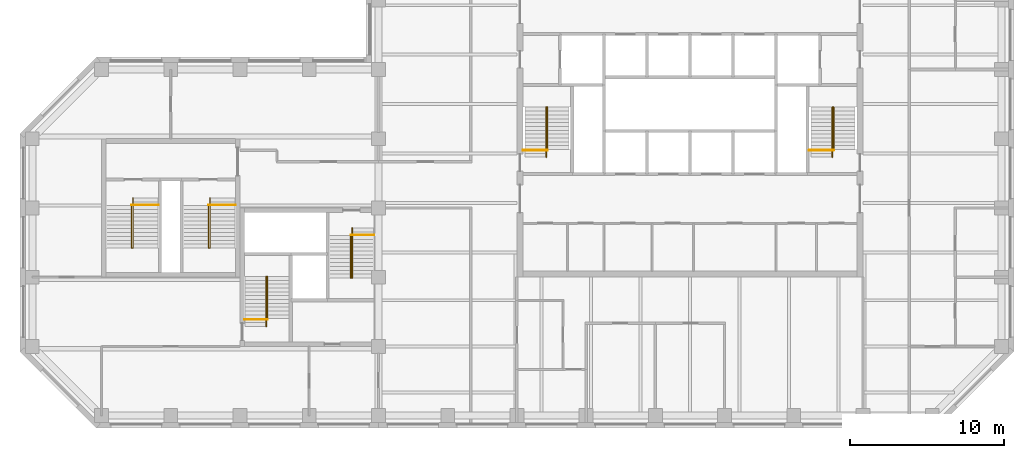
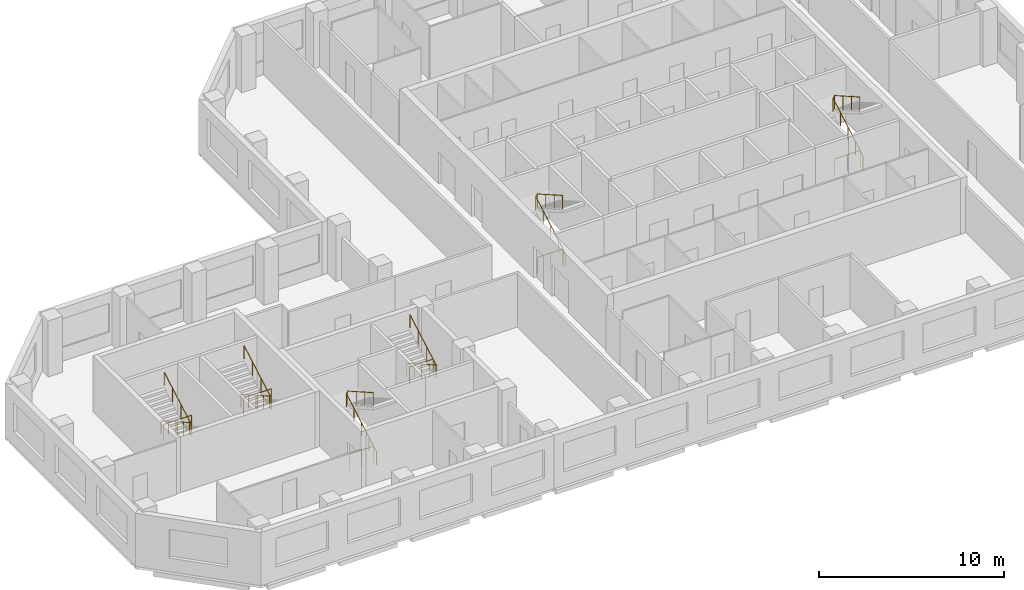
# One storey, part 9 of 9: 12 railings.
"""IFC4 building model written with IfcOpenShell, lengths in metres."""

from ifc_helpers import new_model, si_unit, direction, frame, origin, origin_2d, place, context, subcontext, project, spatial, circle, extrude, material, type_object, element, save


model = new_model("IFC4")

# Units and contexts
model_context = context("Model", 3, precision=1e-05, world=origin(), true_north=direction((0.0, 1.0)))
body_context = subcontext(model_context, "Body", "Model", "MODEL_VIEW")
ifc_project = project(units=[si_unit("LENGTHUNIT", "METRE"), si_unit("AREAUNIT", "SQUARE_METRE"), si_unit("VOLUMEUNIT", "CUBIC_METRE"), si_unit("PLANEANGLEUNIT", "RADIAN"), si_unit("MASSUNIT", "GRAM", prefix="KILO")], contexts=[model_context])

# Site, building, storey
site_placement = place(None, origin())
site = spatial("IfcSite", under=ifc_project, at=site_placement, CompositionType="ELEMENT")
building_placement = place(site_placement, origin())
building = spatial("IfcBuilding", under=site, at=building_placement, Name="Quoin Convention Tower", CompositionType="ELEMENT")
storey_placement = place(building_placement, frame((0.0, 0.0, 248.89990234375)))
storey = spatial("IfcBuildingStorey", under=building, at=storey_placement, Name="L65", CompositionType="ELEMENT", Elevation=248.89990234375)

# Railings
ifc_material = material(Name="Stainless steel", Category="steel")
railing_type_1 = type_object("IfcRailingType", Name="Stair handrail 900", PredefinedType="HANDRAIL", material=ifc_material)
railing_1_placement = place(storey_placement, frame((46.905029296875, 57.300048828125, 0.142333984375)))
element("IfcRailing", 1, at=railing_1_placement, inside=storey, type_object=railing_type_1, Name="SD1 handrail 1", PredefinedType="HANDRAIL", context=body_context, shape_type="SweptSolid", body=[
    extrude(circle(Radius=0.02392578125, at=origin_2d()), frame((0.0, 0.0, 0.8759765625), z_axis=(0.0, 0.869053504361, 0.494718108177), x_axis=(-1.0, 0.0, 0.0)), (0.0, 0.0, 1.0), 3.73974609375),
    extrude(circle(Radius=0.02392578125, at=origin_2d()), frame((0.0, 3.25, 2.72607421875), z_axis=(0.53481069233, 0.0, 0.844971906852), x_axis=(0.0, 1.0, 0.0)), (0.0, 0.0, 1.0), 0.16845703125),
    extrude(circle(Radius=0.02392578125, at=origin_2d()), frame((0.090087890625, 3.25, 2.8681640625), z_axis=(0.0, -0.869058607571, 0.494709143443), x_axis=(1.0, 0.0, 0.0)), (0.0, 0.0, 1.0), 3.164306640625),
    extrude(circle(Radius=0.02099609375, at=origin_2d()), origin(), (0.0, 0.0, 1.0), 0.851806640625),
    extrude(circle(Radius=0.02099609375, at=origin_2d()), frame((0.0, 0.8125, 0.46240234375)), (0.0, 0.0, 1.0), 0.851806640625),
    extrude(circle(Radius=0.02099609375, at=origin_2d()), frame((0.0, 1.625, 0.925048828125)), (0.0, 0.0, 1.0), 0.851806640625),
    extrude(circle(Radius=0.02099609375, at=origin_2d()), frame((0.0, 2.4375, 1.3876953125)), (0.0, 0.0, 1.0), 0.851806640625),
    extrude(circle(Radius=0.02099609375, at=origin_2d()), frame((0.0, 3.25, 1.85009765625)), (0.0, 0.0, 1.0), 0.851806640625),
    extrude(circle(Radius=0.02099609375, at=origin_2d()), frame((0.090087890625, 3.25, 1.992431640625)), (0.0, 0.0, 1.0), 0.851806640625),
    extrude(circle(Radius=0.02099609375, at=origin_2d()), frame((0.090087890625, 2.333251953125, 2.51416015625)), (0.0, 0.0, 1.0), 0.851806640625),
    extrude(circle(Radius=0.02099609375, at=origin_2d()), frame((0.090087890625, 1.416748046875, 3.0361328125)), (0.0, 0.0, 1.0), 0.851806640625),
    extrude(circle(Radius=0.02099609375, at=origin_2d()), frame((0.090087890625, 0.5, 3.557861328125)), (0.0, 0.0, 1.0), 0.851806640625),
])
railing_2_placement = place(storey_placement, frame((65.5048828125, 57.300048828125, 0.142333984375)))
element("IfcRailing", 2, at=railing_2_placement, inside=storey, type_object=railing_type_1, Name="SD2 handrail 1", PredefinedType="HANDRAIL", context=body_context, shape_type="SweptSolid", body=[
    extrude(circle(Radius=0.02392578125, at=origin_2d()), frame((0.0, 0.0, 0.8759765625), z_axis=(0.0, 0.869053504361, 0.494718108177), x_axis=(-1.0, 0.0, 0.0)), (0.0, 0.0, 1.0), 3.73974609375),
    extrude(circle(Radius=0.02392578125, at=origin_2d()), frame((0.0, 3.25, 2.72607421875), z_axis=(0.53481069233, 0.0, 0.844971906852), x_axis=(0.0, 1.0, 0.0)), (0.0, 0.0, 1.0), 0.16845703125),
    extrude(circle(Radius=0.02392578125, at=origin_2d()), frame((0.090087890625, 3.25, 2.8681640625), z_axis=(0.0, -0.869058607571, 0.494709143443), x_axis=(1.0, 0.0, 0.0)), (0.0, 0.0, 1.0), 3.164306640625),
    extrude(circle(Radius=0.02099609375, at=origin_2d()), origin(), (0.0, 0.0, 1.0), 0.851806640625),
    extrude(circle(Radius=0.02099609375, at=origin_2d()), frame((0.0, 0.8125, 0.46240234375)), (0.0, 0.0, 1.0), 0.851806640625),
    extrude(circle(Radius=0.02099609375, at=origin_2d()), frame((0.0, 1.625, 0.925048828125)), (0.0, 0.0, 1.0), 0.851806640625),
    extrude(circle(Radius=0.02099609375, at=origin_2d()), frame((0.0, 2.4375, 1.3876953125)), (0.0, 0.0, 1.0), 0.851806640625),
    extrude(circle(Radius=0.02099609375, at=origin_2d()), frame((0.0, 3.25, 1.85009765625)), (0.0, 0.0, 1.0), 0.851806640625),
    extrude(circle(Radius=0.02099609375, at=origin_2d()), frame((0.090087890625, 3.25, 1.992431640625)), (0.0, 0.0, 1.0), 0.851806640625),
    extrude(circle(Radius=0.02099609375, at=origin_2d()), frame((0.090087890625, 2.333251953125, 2.51416015625)), (0.0, 0.0, 1.0), 0.851806640625),
    extrude(circle(Radius=0.02099609375, at=origin_2d()), frame((0.090087890625, 1.416748046875, 3.0361328125)), (0.0, 0.0, 1.0), 0.851806640625),
    extrude(circle(Radius=0.02099609375, at=origin_2d()), frame((0.090087890625, 0.5, 3.557861328125)), (0.0, 0.0, 1.0), 0.851806640625),
])
railing_3_placement = place(storey_placement, frame((28.705078125, 46.300048828125, 0.142333984375)))
element("IfcRailing", 3, at=railing_3_placement, inside=storey, type_object=railing_type_1, Name="SD3 handrail 1", PredefinedType="HANDRAIL", context=body_context, shape_type="SweptSolid", body=[
    extrude(circle(Radius=0.02392578125, at=origin_2d()), frame((0.0, 0.0, 0.8759765625), z_axis=(0.0, 0.869053504361, 0.494718108177), x_axis=(-1.0, 0.0, 0.0)), (0.0, 0.0, 1.0), 3.73974609375),
    extrude(circle(Radius=0.02392578125, at=origin_2d()), frame((0.0, 3.25, 2.72607421875), z_axis=(0.533774684331, 0.0, 0.845626741753), x_axis=(0.0, 1.0, 0.0)), (0.0, 0.0, 1.0), 0.168212890625),
    extrude(circle(Radius=0.02392578125, at=origin_2d()), frame((0.08984375, 3.25, 2.8681640625), z_axis=(0.0, -0.869058607571, 0.494709143443), x_axis=(1.0, 0.0, 0.0)), (0.0, 0.0, 1.0), 3.164306640625),
    extrude(circle(Radius=0.02099609375, at=origin_2d()), origin(), (0.0, 0.0, 1.0), 0.851806640625),
    extrude(circle(Radius=0.02099609375, at=origin_2d()), frame((0.0, 0.8125, 0.46240234375)), (0.0, 0.0, 1.0), 0.851806640625),
    extrude(circle(Radius=0.02099609375, at=origin_2d()), frame((0.0, 1.625, 0.925048828125)), (0.0, 0.0, 1.0), 0.851806640625),
    extrude(circle(Radius=0.02099609375, at=origin_2d()), frame((0.0, 2.4375, 1.3876953125)), (0.0, 0.0, 1.0), 0.851806640625),
    extrude(circle(Radius=0.02099609375, at=origin_2d()), frame((0.0, 3.25, 1.85009765625)), (0.0, 0.0, 1.0), 0.851806640625),
    extrude(circle(Radius=0.02099609375, at=origin_2d()), frame((0.08984375, 3.25, 1.992431640625)), (0.0, 0.0, 1.0), 0.851806640625),
    extrude(circle(Radius=0.02099609375, at=origin_2d()), frame((0.08984375, 2.333251953125, 2.51416015625)), (0.0, 0.0, 1.0), 0.851806640625),
    extrude(circle(Radius=0.02099609375, at=origin_2d()), frame((0.08984375, 1.416748046875, 3.0361328125)), (0.0, 0.0, 1.0), 0.851806640625),
    extrude(circle(Radius=0.02099609375, at=origin_2d()), frame((0.08984375, 0.5, 3.557861328125)), (0.0, 0.0, 1.0), 0.851806640625),
])
railing_4_placement = place(storey_placement, frame((34.294921875, 52.699951171875, 0.142333984375)))
element("IfcRailing", 4, at=railing_4_placement, inside=storey, type_object=railing_type_1, Name="SD4 handrail 1", PredefinedType="HANDRAIL", context=body_context, shape_type="SweptSolid", body=[
    extrude(circle(Radius=0.02392578125, at=origin_2d()), frame((0.0, 0.0, 0.8759765625), z_axis=(0.0, -0.869053504361, 0.494718108177), x_axis=(1.0, 0.0, 0.0)), (0.0, 0.0, 1.0), 3.73974609375),
    extrude(circle(Radius=0.02392578125, at=origin_2d()), frame((0.0, -3.25, 2.72607421875), z_axis=(-0.533774684331, 0.0, 0.845626741753), x_axis=(0.0, -1.0, 0.0)), (0.0, 0.0, 1.0), 0.168212890625),
    extrude(circle(Radius=0.02392578125, at=origin_2d()), frame((-0.08984375, -3.25, 2.8681640625), z_axis=(0.0, 0.869058607571, 0.494709143443), x_axis=(-1.0, 0.0, 0.0)), (0.0, 0.0, 1.0), 3.164306640625),
    extrude(circle(Radius=0.02099609375, at=origin_2d()), origin(), (0.0, 0.0, 1.0), 0.851806640625),
    extrude(circle(Radius=0.02099609375, at=origin_2d()), frame((0.0, -0.8125, 0.46240234375)), (0.0, 0.0, 1.0), 0.851806640625),
    extrude(circle(Radius=0.02099609375, at=origin_2d()), frame((0.0, -1.625, 0.925048828125)), (0.0, 0.0, 1.0), 0.851806640625),
    extrude(circle(Radius=0.02099609375, at=origin_2d()), frame((0.0, -2.4375, 1.3876953125)), (0.0, 0.0, 1.0), 0.851806640625),
    extrude(circle(Radius=0.02099609375, at=origin_2d()), frame((0.0, -3.25, 1.85009765625)), (0.0, 0.0, 1.0), 0.851806640625),
    extrude(circle(Radius=0.02099609375, at=origin_2d()), frame((-0.08984375, -3.25, 1.992431640625)), (0.0, 0.0, 1.0), 0.851806640625),
    extrude(circle(Radius=0.02099609375, at=origin_2d()), frame((-0.08984375, -2.333251953125, 2.51416015625)), (0.0, 0.0, 1.0), 0.851806640625),
    extrude(circle(Radius=0.02099609375, at=origin_2d()), frame((-0.08984375, -1.416748046875, 3.0361328125)), (0.0, 0.0, 1.0), 0.851806640625),
    extrude(circle(Radius=0.02099609375, at=origin_2d()), frame((-0.08984375, -0.5, 3.557861328125)), (0.0, 0.0, 1.0), 0.851806640625),
])
railing_5_placement = place(storey_placement, frame((20.044921875, 54.64990234375, 0.142333984375)))
element("IfcRailing", 5, at=railing_5_placement, inside=storey, type_object=railing_type_1, Name="SD11 handrail 1", PredefinedType="HANDRAIL", context=body_context, shape_type="SweptSolid", body=[
    extrude(circle(Radius=0.02392578125, at=origin_2d()), frame((0.0, 0.0, 0.8759765625), z_axis=(0.0, -0.869053504361, 0.494718108177), x_axis=(1.0, 0.0, 0.0)), (0.0, 0.0, 1.0), 3.73974609375),
    extrude(circle(Radius=0.02392578125, at=origin_2d()), frame((0.0, -3.25, 2.72607421875), z_axis=(-0.533774684331, 0.0, 0.845626741753), x_axis=(0.0, -1.0, 0.0)), (0.0, 0.0, 1.0), 0.168212890625),
    extrude(circle(Radius=0.02392578125, at=origin_2d()), frame((-0.08984375, -3.25, 2.8681640625), z_axis=(0.0, 0.869058607571, 0.494709143443), x_axis=(-1.0, 0.0, 0.0)), (0.0, 0.0, 1.0), 3.164306640625),
    extrude(circle(Radius=0.02099609375, at=origin_2d()), origin(), (0.0, 0.0, 1.0), 0.851806640625),
    extrude(circle(Radius=0.02099609375, at=origin_2d()), frame((0.0, -0.8125, 0.46240234375)), (0.0, 0.0, 1.0), 0.851806640625),
    extrude(circle(Radius=0.02099609375, at=origin_2d()), frame((0.0, -1.625, 0.925048828125)), (0.0, 0.0, 1.0), 0.851806640625),
    extrude(circle(Radius=0.02099609375, at=origin_2d()), frame((0.0, -2.4375, 1.3876953125)), (0.0, 0.0, 1.0), 0.851806640625),
    extrude(circle(Radius=0.02099609375, at=origin_2d()), frame((0.0, -3.25, 1.85009765625)), (0.0, 0.0, 1.0), 0.851806640625),
    extrude(circle(Radius=0.02099609375, at=origin_2d()), frame((-0.08984375, -3.25, 1.992431640625)), (0.0, 0.0, 1.0), 0.851806640625),
    extrude(circle(Radius=0.02099609375, at=origin_2d()), frame((-0.08984375, -2.333251953125, 2.51416015625)), (0.0, 0.0, 1.0), 0.851806640625),
    extrude(circle(Radius=0.02099609375, at=origin_2d()), frame((-0.08984375, -1.416748046875, 3.0361328125)), (0.0, 0.0, 1.0), 0.851806640625),
    extrude(circle(Radius=0.02099609375, at=origin_2d()), frame((-0.08984375, -0.5, 3.557861328125)), (0.0, 0.0, 1.0), 0.851806640625),
])
railing_6_placement = place(storey_placement, frame((25.044921875, 54.64990234375, 0.142333984375)))
element("IfcRailing", 6, at=railing_6_placement, inside=storey, type_object=railing_type_1, Name="SD12 handrail 1", PredefinedType="HANDRAIL", context=body_context, shape_type="SweptSolid", body=[
    extrude(circle(Radius=0.02392578125, at=origin_2d()), frame((0.0, 0.0, 0.8759765625), z_axis=(0.0, -0.869053504361, 0.494718108177), x_axis=(1.0, 0.0, 0.0)), (0.0, 0.0, 1.0), 3.73974609375),
    extrude(circle(Radius=0.02392578125, at=origin_2d()), frame((0.0, -3.25, 2.72607421875), z_axis=(-0.533774684331, 0.0, 0.845626741753), x_axis=(0.0, -1.0, 0.0)), (0.0, 0.0, 1.0), 0.168212890625),
    extrude(circle(Radius=0.02392578125, at=origin_2d()), frame((-0.08984375, -3.25, 2.8681640625), z_axis=(0.0, 0.869058607571, 0.494709143443), x_axis=(-1.0, 0.0, 0.0)), (0.0, 0.0, 1.0), 3.164306640625),
    extrude(circle(Radius=0.02099609375, at=origin_2d()), origin(), (0.0, 0.0, 1.0), 0.851806640625),
    extrude(circle(Radius=0.02099609375, at=origin_2d()), frame((0.0, -0.8125, 0.46240234375)), (0.0, 0.0, 1.0), 0.851806640625),
    extrude(circle(Radius=0.02099609375, at=origin_2d()), frame((0.0, -1.625, 0.925048828125)), (0.0, 0.0, 1.0), 0.851806640625),
    extrude(circle(Radius=0.02099609375, at=origin_2d()), frame((0.0, -2.4375, 1.3876953125)), (0.0, 0.0, 1.0), 0.851806640625),
    extrude(circle(Radius=0.02099609375, at=origin_2d()), frame((0.0, -3.25, 1.85009765625)), (0.0, 0.0, 1.0), 0.851806640625),
    extrude(circle(Radius=0.02099609375, at=origin_2d()), frame((-0.08984375, -3.25, 1.992431640625)), (0.0, 0.0, 1.0), 0.851806640625),
    extrude(circle(Radius=0.02099609375, at=origin_2d()), frame((-0.08984375, -2.333251953125, 2.51416015625)), (0.0, 0.0, 1.0), 0.851806640625),
    extrude(circle(Radius=0.02099609375, at=origin_2d()), frame((-0.08984375, -1.416748046875, 3.0361328125)), (0.0, 0.0, 1.0), 0.851806640625),
    extrude(circle(Radius=0.02099609375, at=origin_2d()), frame((-0.08984375, -0.5, 3.557861328125)), (0.0, 0.0, 1.0), 0.851806640625),
])
railing_type_2 = type_object("IfcRailingType", Name="Stair top guard 1100", PredefinedType="GUARDRAIL", material=ifc_material)
railing_7_placement = place(storey_placement, frame((45.39990234375, 57.75, 0.0)))
element("IfcRailing", 7, at=railing_7_placement, inside=storey, type_object=railing_type_2, Name="SD1 top guard", PredefinedType="GUARDRAIL", context=body_context, shape_type="SweptSolid", body=[
    extrude(circle(Radius=0.02392578125, at=origin_2d()), frame((0.0, 0.0, 1.076171875), z_axis=(1.0, 0.0, 0.0), x_axis=(0.0, 1.0, 0.0)), (0.0, 0.0, 1.0), 1.59521484375),
    extrude(circle(Radius=0.02099609375, at=origin_2d()), origin(), (0.0, 0.0, 1.0), 1.052001953125),
    extrude(circle(Radius=0.02099609375, at=origin_2d()), frame((0.797607421875, 0.0, 0.0)), (0.0, 0.0, 1.0), 1.052001953125),
    extrude(circle(Radius=0.02099609375, at=origin_2d()), frame((1.59521484375, 0.0, 0.0)), (0.0, 0.0, 1.0), 1.052001953125),
])
railing_8_placement = place(storey_placement, frame((64.0, 57.75, 0.0)))
element("IfcRailing", 8, at=railing_8_placement, inside=storey, type_object=railing_type_2, Name="SD2 top guard", PredefinedType="GUARDRAIL", context=body_context, shape_type="SweptSolid", body=[
    extrude(circle(Radius=0.02392578125, at=origin_2d()), frame((0.0, 0.0, 1.076171875), z_axis=(1.0, 0.0, 0.0), x_axis=(0.0, 1.0, 0.0)), (0.0, 0.0, 1.0), 1.594970703125),
    extrude(circle(Radius=0.02099609375, at=origin_2d()), origin(), (0.0, 0.0, 1.0), 1.052001953125),
    extrude(circle(Radius=0.02099609375, at=origin_2d()), frame((0.79736328125, 0.0, 0.0)), (0.0, 0.0, 1.0), 1.052001953125),
    extrude(circle(Radius=0.02099609375, at=origin_2d()), frame((1.594970703125, 0.0, 0.0)), (0.0, 0.0, 1.0), 1.052001953125),
])
railing_9_placement = place(storey_placement, frame((27.300048828125, 46.75, 0.0)))
element("IfcRailing", 9, at=railing_9_placement, inside=storey, type_object=railing_type_2, Name="SD3 top guard", PredefinedType="GUARDRAIL", context=body_context, shape_type="SweptSolid", body=[
    extrude(circle(Radius=0.02392578125, at=origin_2d()), frame((0.0, 0.0, 1.076171875), z_axis=(1.0, 0.0, 0.0), x_axis=(0.0, 1.0, 0.0)), (0.0, 0.0, 1.0), 1.494873046875),
    extrude(circle(Radius=0.02099609375, at=origin_2d()), origin(), (0.0, 0.0, 1.0), 1.052001953125),
    extrude(circle(Radius=0.02099609375, at=origin_2d()), frame((0.74755859375, 0.0, 0.0)), (0.0, 0.0, 1.0), 1.052001953125),
    extrude(circle(Radius=0.02099609375, at=origin_2d()), frame((1.494873046875, 0.0, 0.0)), (0.0, 0.0, 1.0), 1.052001953125),
])
railing_10_placement = place(storey_placement, frame((35.699951171875, 52.25, 0.0)))
element("IfcRailing", 10, at=railing_10_placement, inside=storey, type_object=railing_type_2, Name="SD4 top guard", PredefinedType="GUARDRAIL", context=body_context, shape_type="SweptSolid", body=[
    extrude(circle(Radius=0.02392578125, at=origin_2d()), frame((0.0, 0.0, 1.076171875), z_axis=(-1.0, 0.0, 0.0), x_axis=(0.0, -1.0, 0.0)), (0.0, 0.0, 1.0), 1.494873046875),
    extrude(circle(Radius=0.02099609375, at=origin_2d()), origin(), (0.0, 0.0, 1.0), 1.052001953125),
    extrude(circle(Radius=0.02099609375, at=origin_2d()), frame((-0.74755859375, 0.0, 0.0)), (0.0, 0.0, 1.0), 1.052001953125),
    extrude(circle(Radius=0.02099609375, at=origin_2d()), frame((-1.494873046875, 0.0, 0.0)), (0.0, 0.0, 1.0), 1.052001953125),
])
for number, where, name in (
    (11, (21.699951171875, 54.199951171875, 0.0), "SD11 top guard"),
    (12, (26.699951171875, 54.199951171875, 0.0), "SD12 top guard"),
):
    element("IfcRailing", number, at=place(storey_placement, frame(where)), inside=storey, type_object=railing_type_2, Name=name, PredefinedType="GUARDRAIL", context=body_context, shape_type="SweptSolid", body=[
        extrude(circle(Radius=0.02392578125, at=origin_2d()), frame((0.0, 0.0, 1.076171875), z_axis=(-1.0, 0.0, 0.0), x_axis=(0.0, -1.0, 0.0)), (0.0, 0.0, 1.0), 1.744873046875),
        extrude(circle(Radius=0.02099609375, at=origin_2d()), origin(), (0.0, 0.0, 1.0), 1.052001953125),
        extrude(circle(Radius=0.02099609375, at=origin_2d()), frame((-0.87255859375, 0.0, 0.0)), (0.0, 0.0, 1.0), 1.052001953125),
        extrude(circle(Radius=0.02099609375, at=origin_2d()), frame((-1.744873046875, 0.0, 0.0)), (0.0, 0.0, 1.0), 1.052001953125),
    ])

save(model, "model.ifc")
